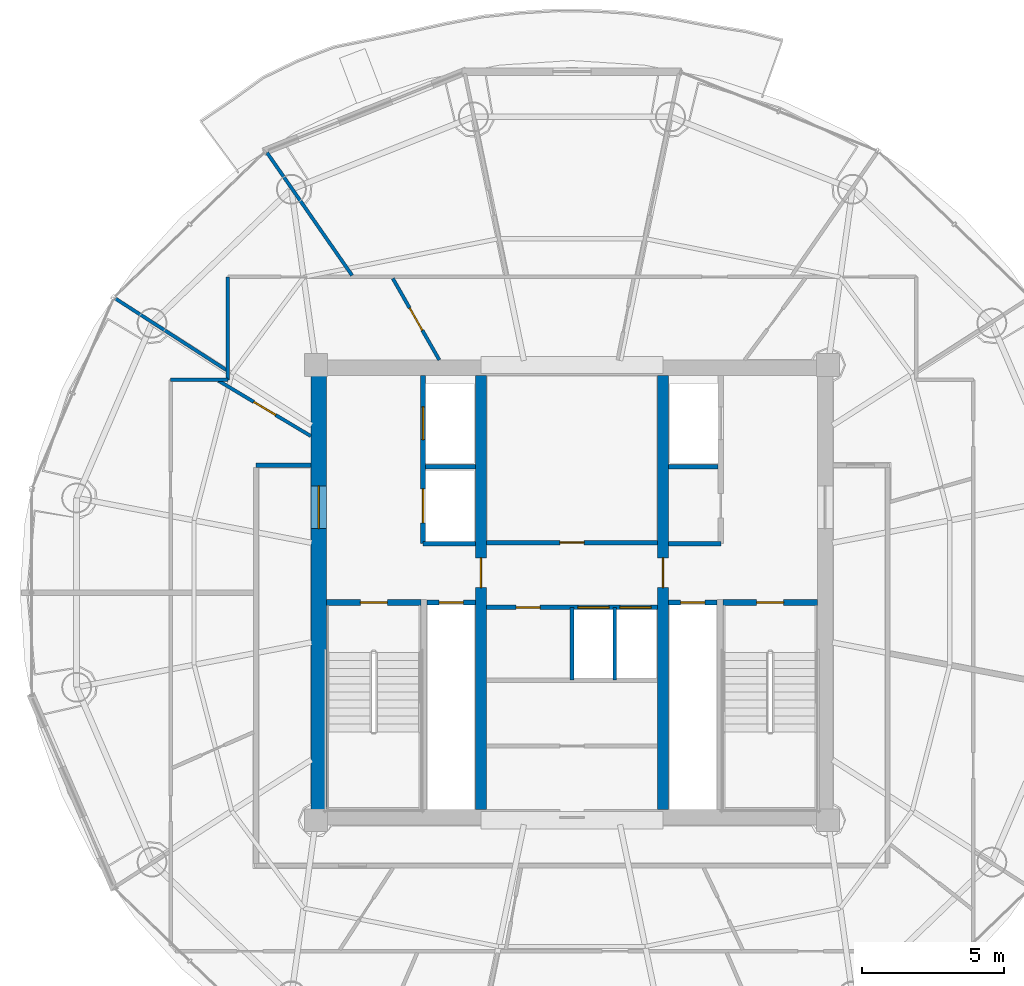
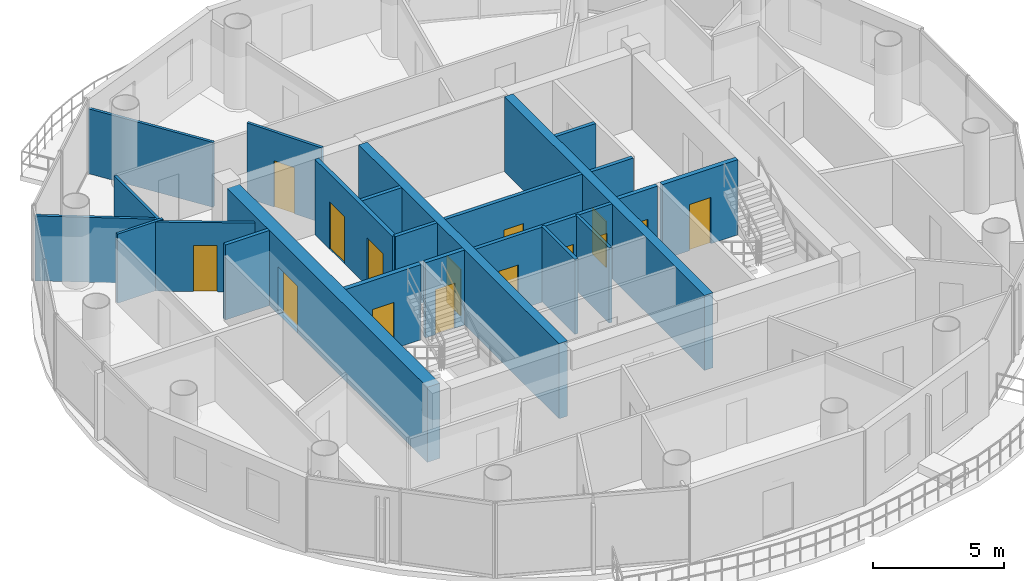
# One storey, part 18 of 24: 23 walls, 15 doors, 15 openings.
"""IFC4 building model written with IfcOpenShell, lengths in metres."""

from ifc_helpers import new_model, si_unit, direction, frame, frame_2d, origin, place, context, subcontext, project, spatial, rectangle, extrude, source, transform, mapped, material, layer, layer_set, type_object, element, fill, save


model = new_model("IFC4")

# Units and contexts
model_context = context("Model", 3, precision=1e-05, world=origin(), true_north=direction((-0.2419218956, 0.970295726276)))
body_context = subcontext(model_context, "Body", "Model", "MODEL_VIEW")
ifc_project = project(units=[si_unit("LENGTHUNIT", "METRE"), si_unit("AREAUNIT", "SQUARE_METRE"), si_unit("VOLUMEUNIT", "CUBIC_METRE"), si_unit("PLANEANGLEUNIT", "RADIAN"), si_unit("MASSUNIT", "GRAM", prefix="KILO")], contexts=[model_context])

# Site, building, storey
site_placement = place(None, origin())
site = spatial("IfcSite", under=ifc_project, at=site_placement, CompositionType="ELEMENT")
building_placement = place(site_placement, origin())
building = spatial("IfcBuilding", under=site, at=building_placement, Name="Cobrevalo Terracotta Tower", CompositionType="ELEMENT")
storey_placement = place(building_placement, frame((0.0, 0.0, 293.199951171875)))
storey = spatial("IfcBuildingStorey", under=building, at=storey_placement, Name="L77", CompositionType="ELEMENT", Elevation=293.199951171875)

# Wall, opening, door
ifc_material_1 = material(Name="Concrete C50", Category="concrete")
ifc_layer_1 = layer(ifc_material_1, 0.550048828125)
ifc_layer_set_1 = layer_set([ifc_layer_1], Name="Concrete C50")
wall_type_1 = type_object("IfcWallType", Name="Core shear wall 550 mm Concrete C50", PredefinedType="SHEAR", material=ifc_layer_set_1)
wall_1_placement = place(storey_placement, frame((29.10009765625, 19.175048828125, 0.0), z_axis=(0.0, 0.0, 1.0), x_axis=(0.0, 1.0, 0.0)))
wall_1 = element("IfcWall", 1, at=wall_1_placement, inside=storey, type_object=wall_type_1, Name="L77 west core shear wall", PredefinedType="SHEAR", context=body_context, shape_type="SweptSolid", body=[
    extrude(rectangle(XDim=15.25, YDim=0.550048828125, at=frame_2d((7.625, 0.0))), origin(), (0.0, 0.0, 1.0), 3.489990234375),
])
opening_1_placement = place(wall_1_placement, frame((9.875, 0.0, 0.0)))
opening_1 = element("IfcOpeningElement", 2, at=opening_1_placement, cuts=wall_1, Name="Opening ID-14", PredefinedType="OPENING", context=body_context, shape_type="SweptSolid", body=[
    extrude(rectangle(XDim=1.5, YDim=2.199951171875, at=frame_2d((0.75, 1.10009765625))), frame((0.0, 0.28515625, 0.0), z_axis=(0.0, -1.0, 0.0), x_axis=(1.0, 0.0, 0.0)), (0.0, 0.0, 1.0), 0.570068359375),
])
ifc_material_2 = material(Name="Galvanized fire-rated steel", Category="steel")
door_type_1 = type_object("IfcDoorType", Name="Core cross-lobby double fire door 1500x2200 EI 90", OperationType="NOTDEFINED", PredefinedType="DOOR", material=ifc_material_2)
shared_shape_1 = source(origin(), body_context, "Body", "SweptSolid", [
    extrude(rectangle(XDim=1.5, YDim=2.199951171875, at=frame_2d((0.75, 1.10009765625))), frame((0.0, 0.02490234375, 0.0), z_axis=(0.0, -1.0, 0.0), x_axis=(1.0, 0.0, 0.0)), (0.0, 0.0, 1.0), 0.050048828125),
])
door_1_placement = place(opening_1_placement, origin())
door_1 = element("IfcDoor", 3, at=door_1_placement, inside=storey, type_object=door_type_1, Name="L77 west firefighting lobby entrance door", OperationType="DOUBLE_DOOR_SINGLE_SWING", OverallHeight=2.199951171875, OverallWidth=1.5, PredefinedType="DOOR", context=body_context, shape_type="MappedRepresentation", body=[
    mapped(shared_shape_1, transform((0.0, 0.0, 0.0), scale=1.0)),
])
fill(opening_1, door_1)

# Walls
ifc_material_3 = material(Name="Gypsum board on steel stud", Category="steel")
ifc_layer_2 = layer(ifc_material_3, 0.159912109375)
ifc_layer_set_2 = layer_set([ifc_layer_2], Name="Gypsum board on steel stud")
wall_type_2 = type_object("IfcWallType", Name="Fire-rated corridor acoustic partition wall 160 mm", PredefinedType="PARTITIONING", material=ifc_layer_set_2)
wall_2_placement = place(storey_placement, frame((32.860107421875, 31.219970703125, 0.0), z_axis=(0.0, 0.0, 1.0), x_axis=(1.0, 0.0, 0.0)))
element("IfcWall", 4, at=wall_2_placement, inside=storey, type_object=wall_type_2, Name="L77 interior partition IW-L77-FF1-M", PredefinedType="PARTITIONING", context=body_context, shape_type="SweptSolid", body=[
    extrude(rectangle(XDim=1.75, YDim=0.159912109375, at=frame_2d((0.875, 0.0))), origin(), (0.0, 0.0, 1.0), 3.489990234375),
])
wall_3_placement = place(storey_placement, frame((32.77001953125, 28.52001953125, 0.0), z_axis=(0.0, 0.0, 1.0), x_axis=(1.0, 0.0, 0.0)))
element("IfcWall", 5, at=wall_3_placement, inside=storey, type_object=wall_type_2, Name="L77 interior partition IW-L77-FF1-S", PredefinedType="PARTITIONING", context=body_context, shape_type="SweptSolid", body=[
    extrude(rectangle(XDim=1.840087890625, YDim=0.159912109375, at=frame_2d((0.919921875, 0.0))), origin(), (0.0, 0.0, 1.0), 3.489990234375),
])
wall_4_placement = place(storey_placement, frame((41.389892578125, 31.219970703125, 0.0), z_axis=(0.0, 0.0, 1.0), x_axis=(1.0, 0.0, 0.0)))
element("IfcWall", 6, at=wall_4_placement, inside=storey, type_object=wall_type_2, Name="L77 interior partition IW-L77-FF2-M", PredefinedType="PARTITIONING", context=body_context, shape_type="SweptSolid", body=[
    extrude(rectangle(XDim=1.75, YDim=0.159912109375, at=frame_2d((0.875, 0.0))), origin(), (0.0, 0.0, 1.0), 3.489990234375),
])
wall_5_placement = place(storey_placement, frame((41.389892578125, 28.52001953125, 0.0), z_axis=(0.0, 0.0, 1.0), x_axis=(1.0, 0.0, 0.0)))
element("IfcWall", 7, at=wall_5_placement, inside=storey, type_object=wall_type_2, Name="L77 interior partition IW-L77-FF2-S", PredefinedType="PARTITIONING", context=body_context, shape_type="SweptSolid", body=[
    extrude(rectangle(XDim=1.840087890625, YDim=0.159912109375, at=frame_2d((0.919921875, 0.0))), origin(), (0.0, 0.0, 1.0), 3.489990234375),
])

# Wall, opening, door
wall_6_placement = place(storey_placement, frame((34.989990234375, 28.56005859375, 0.0), z_axis=(0.0, 0.0, 1.0), x_axis=(1.0, 0.0, 0.0)))
wall_6 = element("IfcWall", 8, at=wall_6_placement, inside=storey, type_object=wall_type_2, Name="L77 interior partition IW-L77-LB-S", PredefinedType="PARTITIONING", context=body_context, shape_type="SweptSolid", body=[
    extrude(rectangle(XDim=6.02001953125, YDim=0.159912109375, at=frame_2d((3.010009765625, 0.0))), origin(), (0.0, 0.0, 1.0), 3.489990234375),
])
opening_2_placement = place(wall_6_placement, frame((2.5849609375, 0.0, 0.0)))
opening_2 = element("IfcOpeningElement", 9, at=opening_2_placement, cuts=wall_6, Name="Opening ID-22", PredefinedType="OPENING", context=body_context, shape_type="SweptSolid", body=[
    extrude(rectangle(XDim=0.85009765625, YDim=2.10009765625, at=frame_2d((0.425048828125, 1.050048828125))), frame((0.0, 0.08984375, 0.0), z_axis=(0.0, -1.0, 0.0), x_axis=(1.0, 0.0, 0.0)), (0.0, 0.0, 1.0), 0.179931640625),
])
ifc_material_4 = material(Name="Powder-coated steel", Category="steel")
door_type_2 = type_object("IfcDoorType", Name="Riser shaft & meter closet fire access door 850x2100 EI 60", OperationType="NOTDEFINED", PredefinedType="DOOR", material=ifc_material_4)
shared_shape_2 = source(origin(), body_context, "Body", "SweptSolid", [
    extrude(rectangle(XDim=0.85009765625, YDim=2.10009765625, at=frame_2d((0.425048828125, 1.050048828125))), frame((0.0, 0.02490234375, 0.0), z_axis=(0.0, -1.0, 0.0), x_axis=(1.0, 0.0, 0.0)), (0.0, 0.0, 1.0), 0.050048828125),
])
door_2_placement = place(opening_2_placement, origin())
door_2 = element("IfcDoor", 10, at=door_2_placement, inside=storey, type_object=door_type_2, Name="L77 core service door Floor Electrical Switchroom", OperationType="SINGLE_SWING_LEFT", OverallHeight=2.10009765625, OverallWidth=0.85009765625, PredefinedType="DOOR", context=body_context, shape_type="MappedRepresentation", body=[
    mapped(shared_shape_2, transform((0.0, 0.0, 0.0), scale=1.0)),
])
fill(opening_2, door_2)

# Wall, openings, doors
wall_7_placement = place(storey_placement, frame((34.989990234375, 26.280029296875, 0.0), z_axis=(0.0, 0.0, 1.0), x_axis=(1.0, 0.0, 0.0)))
wall_7 = element("IfcWall", 11, at=wall_7_placement, inside=storey, type_object=wall_type_2, Name="L77 interior partition IW-L77-MB-N", PredefinedType="PARTITIONING", context=body_context, shape_type="SweptSolid", body=[
    extrude(rectangle(XDim=6.02001953125, YDim=0.159912109375, at=frame_2d((3.010009765625, 0.0))), origin(), (0.0, 0.0, 1.0), 3.489990234375),
])
opening_3_placement = place(wall_7_placement, frame((1.044921875, 0.0, 0.0)))
opening_3 = element("IfcOpeningElement", 12, at=opening_3_placement, cuts=wall_7, Name="Opening ID-22", PredefinedType="OPENING", context=body_context, shape_type="SweptSolid", body=[
    extrude(rectangle(XDim=0.85009765625, YDim=2.10009765625, at=frame_2d((0.425048828125, 1.050048828125))), frame((0.0, 0.08984375, 0.0), z_axis=(0.0, -1.0, 0.0), x_axis=(1.0, 0.0, 0.0)), (0.0, 0.0, 1.0), 0.179931640625),
])
opening_4_placement = place(wall_7_placement, frame((3.215087890625, 0.0, 0.0)))
opening_4 = element("IfcOpeningElement", 13, at=opening_4_placement, cuts=wall_7, Name="Opening LD-01", PredefinedType="OPENING", context=body_context, shape_type="SweptSolid", body=[
    extrude(rectangle(XDim=1.10009765625, YDim=2.199951171875, at=frame_2d((0.550048828125, 1.10009765625))), frame((0.0, 0.08984375, 0.0), z_axis=(0.0, -1.0, 0.0), x_axis=(1.0, 0.0, 0.0)), (0.0, 0.0, 1.0), 0.179931640625),
])
opening_5_placement = place(wall_7_placement, frame((4.695068359375, 0.0, 0.0)))
opening_5 = element("IfcOpeningElement", 14, at=opening_5_placement, cuts=wall_7, Name="Opening LD-01", PredefinedType="OPENING", context=body_context, shape_type="SweptSolid", body=[
    extrude(rectangle(XDim=1.10009765625, YDim=2.199951171875, at=frame_2d((0.550048828125, 1.10009765625))), frame((0.0, 0.08984375, 0.0), z_axis=(0.0, -1.0, 0.0), x_axis=(1.0, 0.0, 0.0)), (0.0, 0.0, 1.0), 0.179931640625),
])
door_3_placement = place(opening_3_placement, frame((0.85009765625, 0.0, 0.0), z_axis=(0.0, 0.0, 1.0), x_axis=(-1.0, 0.0, 0.0)))
door_3 = element("IfcDoor", 15, at=door_3_placement, inside=storey, type_object=door_type_2, Name="L77 core room door High-Rise Core Linen and Equipment Store", OperationType="SINGLE_SWING_RIGHT", OverallHeight=2.10009765625, OverallWidth=0.85009765625, PredefinedType="DOOR", context=body_context, shape_type="MappedRepresentation", body=[
    mapped(shared_shape_2, transform((0.0, 0.0, 0.0), scale=1.0)),
])
fill(opening_3, door_3)
ifc_material_5 = material(Name="Brushed stainless steel", Category="steel")
door_type_3 = type_object("IfcDoorType", Name="Passenger lift landing bi-parting sliding door 1100x2200 EI 90", OperationType="DOUBLE_DOOR_SLIDING", PredefinedType="DOOR", material=ifc_material_5)
shared_shape_3 = source(origin(), body_context, "Body", "SweptSolid", [
    extrude(rectangle(XDim=1.10009765625, YDim=2.199951171875, at=frame_2d((0.550048828125, 1.10009765625))), frame((0.0, 0.02490234375, 0.0), z_axis=(0.0, -1.0, 0.0), x_axis=(1.0, 0.0, 0.0)), (0.0, 0.0, 1.0), 0.050048828125),
])
door_4_placement = place(opening_4_placement, origin())
door_4 = element("IfcDoor", 16, at=door_4_placement, inside=storey, type_object=door_type_3, Name="L77 lift landing door PL-H1", OperationType="DOUBLE_DOOR_SLIDING", OverallHeight=2.199951171875, OverallWidth=1.10009765625, PredefinedType="DOOR", context=body_context, shape_type="MappedRepresentation", body=[
    mapped(shared_shape_3, transform((0.0, 0.0, 0.0), scale=1.0)),
])
fill(opening_4, door_4)
door_5_placement = place(opening_5_placement, origin())
door_5 = element("IfcDoor", 17, at=door_5_placement, inside=storey, type_object=door_type_3, Name="L77 lift landing door PL-H2", OperationType="DOUBLE_DOOR_SLIDING", OverallHeight=2.199951171875, OverallWidth=1.10009765625, PredefinedType="DOOR", context=body_context, shape_type="MappedRepresentation", body=[
    mapped(shared_shape_3, transform((0.0, 0.0, 0.0), scale=1.0)),
])
fill(opening_5, door_5)

# Wall
wall_8_placement = place(storey_placement, frame((26.89501953125, 31.280029296875, 0.0), z_axis=(0.0, 0.0, 1.0), x_axis=(1.0, 0.0, 0.0)))
element("IfcWall", 18, at=wall_8_placement, inside=storey, type_object=wall_type_2, Name="L77 interior partition IW-L77-COR-WN-CAP", PredefinedType="PARTITIONING", context=body_context, shape_type="SweptSolid", body=[
    extrude(rectangle(XDim=1.929931640625, YDim=0.159912109375, at=frame_2d((0.96484375, 0.0))), origin(), (0.0, 0.0, 1.0), 3.489990234375),
])

# Wall, opening, door
ifc_layer_3 = layer(ifc_material_3, 0.179931640625)
ifc_layer_set_3 = layer_set([ifc_layer_3], Name="Gypsum board on steel stud")
wall_type_3 = type_object("IfcWallType", Name="Fire-rated shaft & lobby acoustic partition wall 180 mm", PredefinedType="PARTITIONING", material=ifc_layer_set_3)
wall_9_placement = place(storey_placement, frame((32.89990234375, 26.449951171875, 0.0), z_axis=(0.0, 0.0, 1.0), x_axis=(1.0, 0.0, 0.0)))
wall_9 = element("IfcWall", 19, at=wall_9_placement, inside=storey, type_object=wall_type_3, Name="L77 interior partition IW-L77-RSW-N", PredefinedType="PARTITIONING", context=body_context, shape_type="SweptSolid", body=[
    extrude(rectangle(XDim=1.710205078125, YDim=0.179931640625, at=frame_2d((0.85498046875, 0.0))), origin(), (0.0, 0.0, 1.0), 3.489990234375),
])
opening_6_placement = place(wall_9_placement, frame((0.429931640625, 0.0, 0.0)))
opening_6 = element("IfcOpeningElement", 20, at=opening_6_placement, cuts=wall_9, Name="Opening ID-22", PredefinedType="OPENING", context=body_context, shape_type="SweptSolid", body=[
    extrude(rectangle(XDim=0.85009765625, YDim=2.10009765625, at=frame_2d((0.425048828125, 1.050048828125))), frame((0.0, 0.10009765625, 0.0), z_axis=(0.0, -1.0, 0.0), x_axis=(1.0, 0.0, 0.0)), (0.0, 0.0, 1.0), 0.199951171875),
])
door_6_placement = place(opening_6_placement, origin())
door_6 = element("IfcDoor", 21, at=door_6_placement, inside=storey, type_object=door_type_2, Name="L77 riser access door RSW", OperationType="SINGLE_SWING_LEFT", OverallHeight=2.10009765625, OverallWidth=0.85009765625, PredefinedType="DOOR", context=body_context, shape_type="MappedRepresentation", body=[
    mapped(shared_shape_2, transform((0.0, 0.0, 0.0), scale=1.0)),
])
fill(opening_6, door_6)

wall_10_placement = place(storey_placement, frame((41.389892578125, 26.449951171875, 0.0), z_axis=(0.0, 0.0, 1.0), x_axis=(1.0, 0.0, 0.0)))
wall_10 = element("IfcWall", 22, at=wall_10_placement, inside=storey, type_object=wall_type_3, Name="L77 interior partition IW-L77-RSE-N", PredefinedType="PARTITIONING", context=body_context, shape_type="SweptSolid", body=[
    extrude(rectangle(XDim=1.710205078125, YDim=0.179931640625, at=frame_2d((0.85498046875, 0.0))), origin(), (0.0, 0.0, 1.0), 3.489990234375),
])
opening_7_placement = place(wall_10_placement, frame((0.429931640625, 0.0, 0.0)))
opening_7 = element("IfcOpeningElement", 23, at=opening_7_placement, cuts=wall_10, Name="Opening ID-22", PredefinedType="OPENING", context=body_context, shape_type="SweptSolid", body=[
    extrude(rectangle(XDim=0.85009765625, YDim=2.10009765625, at=frame_2d((0.425048828125, 1.050048828125))), frame((0.0, 0.10009765625, 0.0), z_axis=(0.0, -1.0, 0.0), x_axis=(1.0, 0.0, 0.0)), (0.0, 0.0, 1.0), 0.199951171875),
])
door_7_placement = place(opening_7_placement, origin())
door_7 = element("IfcDoor", 24, at=door_7_placement, inside=storey, type_object=door_type_2, Name="L77 riser access door RSE", OperationType="SINGLE_SWING_RIGHT", OverallHeight=2.10009765625, OverallWidth=0.85009765625, PredefinedType="DOOR", context=body_context, shape_type="MappedRepresentation", body=[
    mapped(shared_shape_2, transform((0.0, 0.0, 0.0), scale=1.0)),
])
fill(opening_7, door_7)

# Wall, openings, doors
wall_11_placement = place(storey_placement, frame((32.77001953125, 28.52001953125, 0.0), z_axis=(0.0, 0.0, 1.0), x_axis=(0.0, 1.0, 0.0)))
wall_11 = element("IfcWall", 25, at=wall_11_placement, inside=storey, type_object=wall_type_3, Name="L77 interior partition IW-L77-FF1-W", PredefinedType="PARTITIONING", context=body_context, shape_type="SweptSolid", body=[
    extrude(rectangle(XDim=5.905029296875, YDim=0.179931640625, at=frame_2d((2.95263671875, 0.0))), origin(), (0.0, 0.0, 1.0), 3.489990234375),
])
opening_8_placement = place(wall_11_placement, frame((3.655029296875, 0.0, 0.0)))
opening_8 = element("IfcOpeningElement", 26, at=opening_8_placement, cuts=wall_11, Name="Opening LD-02", PredefinedType="OPENING", context=body_context, shape_type="SweptSolid", body=[
    extrude(rectangle(XDim=1.14990234375, YDim=2.199951171875, at=frame_2d((0.574951171875, 1.10009765625))), frame((0.0, 0.10009765625, 0.0), z_axis=(0.0, -1.0, 0.0), x_axis=(1.0, 0.0, 0.0)), (0.0, 0.0, 1.0), 0.199951171875),
])
opening_9_placement = place(wall_11_placement, frame((0.72998046875, 0.0, 0.0)))
opening_9 = element("IfcOpeningElement", 27, at=opening_9_placement, cuts=wall_11, Name="Opening LD-03", PredefinedType="OPENING", context=body_context, shape_type="SweptSolid", body=[
    extrude(rectangle(XDim=1.199951171875, YDim=2.25, at=frame_2d((0.60009765625, 1.125))), frame((0.0, 0.10009765625, 0.0), z_axis=(0.0, -1.0, 0.0), x_axis=(1.0, 0.0, 0.0)), (0.0, 0.0, 1.0), 0.199951171875),
])
door_type_4 = type_object("IfcDoorType", Name="Firefighting lift landing bi-parting sliding door 1150x2200 EI 120", OperationType="DOUBLE_DOOR_SLIDING", PredefinedType="DOOR", material=ifc_material_5)
shared_shape_4 = source(origin(), body_context, "Body", "SweptSolid", [
    extrude(rectangle(XDim=1.14990234375, YDim=2.199951171875, at=frame_2d((0.574951171875, 1.10009765625))), frame((0.0, 0.02490234375, 0.0), z_axis=(0.0, -1.0, 0.0), x_axis=(1.0, 0.0, 0.0)), (0.0, 0.0, 1.0), 0.050048828125),
])
door_8_placement = place(opening_8_placement, origin())
door_8 = element("IfcDoor", 28, at=door_8_placement, inside=storey, type_object=door_type_4, Name="L77 lift landing door FF-1", OperationType="DOUBLE_DOOR_SLIDING", OverallHeight=2.199951171875, OverallWidth=1.14990234375, PredefinedType="DOOR", context=body_context, shape_type="MappedRepresentation", body=[
    mapped(shared_shape_4, transform((0.0, 0.0, 0.0), scale=1.0)),
])
fill(opening_8, door_8)
door_type_5 = type_object("IfcDoorType", Name="Service lift landing bi-parting sliding door 1200x2250 EI 120", OperationType="DOUBLE_DOOR_SLIDING", PredefinedType="DOOR", material=ifc_material_5)
shared_shape_5 = source(origin(), body_context, "Body", "SweptSolid", [
    extrude(rectangle(XDim=1.199951171875, YDim=2.25, at=frame_2d((0.60009765625, 1.125))), frame((0.0, 0.02490234375, 0.0), z_axis=(0.0, -1.0, 0.0), x_axis=(1.0, 0.0, 0.0)), (0.0, 0.0, 1.0), 0.050048828125),
])
door_9_placement = place(opening_9_placement, origin())
door_9 = element("IfcDoor", 29, at=door_9_placement, inside=storey, type_object=door_type_5, Name="L77 lift landing door SV-1", OperationType="DOUBLE_DOOR_SLIDING", OverallHeight=2.25, OverallWidth=1.199951171875, PredefinedType="DOOR", context=body_context, shape_type="MappedRepresentation", body=[
    mapped(shared_shape_5, transform((0.0, 0.0, 0.0), scale=1.0)),
])
fill(opening_9, door_9)

# Wall
ifc_material_6 = material(Name="Autoclaved aerated concrete block", Category="concrete")
ifc_layer_4 = layer(ifc_material_6, 0.1201171875)
ifc_layer_set_4 = layer_set([ifc_layer_4], Name="Autoclaved aerated concrete block")
wall_type_4 = type_object("IfcWallType", Name="Fire-rated wet-room & core service partition 120 mm", PredefinedType="PARTITIONING", material=ifc_layer_set_4)
wall_12_placement = place(storey_placement, frame((39.5, 23.719970703125, 0.0), z_axis=(0.0, 0.0, 1.0), x_axis=(0.0, 1.0, 0.0)))
element("IfcWall", 30, at=wall_12_placement, inside=storey, type_object=wall_type_4, Name="L77 interior partition IW-L77-MB-D3", PredefinedType="PARTITIONING", context=body_context, shape_type="SweptSolid", body=[
    extrude(rectangle(XDim=2.56005859375, YDim=0.1201171875, at=frame_2d((1.280029296875, 0.0))), origin(), (0.0, 0.0, 1.0), 3.489990234375),
])

# Wall, opening, door
ifc_layer_5 = layer(ifc_material_1, 0.3798828125)
ifc_layer_set_5 = layer_set([ifc_layer_5], Name="Concrete C50")
wall_type_5 = type_object("IfcWallType", Name="Internal core shear web wall 380 mm Concrete C50", PredefinedType="SHEAR", material=ifc_layer_set_5)
wall_13_placement = place(storey_placement, frame((34.800048828125, 19.175048828125, 0.0), z_axis=(0.0, 0.0, 1.0), x_axis=(0.0, 1.0, 0.0)))
wall_13 = element("IfcWall", 31, at=wall_13_placement, inside=storey, type_object=wall_type_5, Name="L77 internal core shear wall WEB-W", PredefinedType="SHEAR", context=body_context, shape_type="SweptSolid", body=[
    extrude(rectangle(XDim=15.25, YDim=0.3798828125, at=frame_2d((7.625, 0.0))), origin(), (0.0, 0.0, 1.0), 3.489990234375),
])
opening_10_placement = place(wall_13_placement, frame((7.800048828125, 0.0, 0.0)))
opening_10 = element("IfcOpeningElement", 32, at=opening_10_placement, cuts=wall_13, Name="Opening ID-11", PredefinedType="OPENING", context=body_context, shape_type="SweptSolid", body=[
    extrude(rectangle(XDim=1.050048828125, YDim=2.14990234375, at=frame_2d((0.52490234375, 1.074951171875))), frame((0.0, 0.199951171875, 0.0), z_axis=(0.0, -1.0, 0.0), x_axis=(1.0, 0.0, 0.0)), (0.0, 0.0, 1.0), 0.39990234375),
])
door_type_6 = type_object("IfcDoorType", Name="Core concourse cross fire door 1050x2150 EI 90", OperationType="NOTDEFINED", PredefinedType="DOOR", material=ifc_material_2)
shared_shape_6 = source(origin(), body_context, "Body", "SweptSolid", [
    extrude(rectangle(XDim=1.050048828125, YDim=2.14990234375, at=frame_2d((0.52490234375, 1.074951171875))), frame((0.0, 0.02490234375, 0.0), z_axis=(0.0, -1.0, 0.0), x_axis=(1.0, 0.0, 0.0)), (0.0, 0.0, 1.0), 0.050048828125),
])
door_10_placement = place(opening_10_placement, origin())
door_10 = element("IfcDoor", 33, at=door_10_placement, inside=storey, type_object=door_type_6, Name="L77 west core concourse cross door", OperationType="SINGLE_SWING_LEFT", OverallHeight=2.14990234375, OverallWidth=1.050048828125, PredefinedType="DOOR", context=body_context, shape_type="MappedRepresentation", body=[
    mapped(shared_shape_6, transform((0.0, 0.0, 0.0), scale=1.0)),
])
fill(opening_10, door_10)

wall_14_placement = place(storey_placement, frame((41.199951171875, 19.175048828125, 0.0), z_axis=(0.0, 0.0, 1.0), x_axis=(0.0, 1.0, 0.0)))
wall_14 = element("IfcWall", 34, at=wall_14_placement, inside=storey, type_object=wall_type_5, Name="L77 internal core shear wall WEB-E", PredefinedType="SHEAR", context=body_context, shape_type="SweptSolid", body=[
    extrude(rectangle(XDim=15.25, YDim=0.3798828125, at=frame_2d((7.625, 0.0))), origin(), (0.0, 0.0, 1.0), 3.489990234375),
])
opening_11_placement = place(wall_14_placement, frame((7.800048828125, 0.0, 0.0)))
opening_11 = element("IfcOpeningElement", 35, at=opening_11_placement, cuts=wall_14, Name="Opening ID-11", PredefinedType="OPENING", context=body_context, shape_type="SweptSolid", body=[
    extrude(rectangle(XDim=1.050048828125, YDim=2.14990234375, at=frame_2d((0.52490234375, 1.074951171875))), frame((0.0, 0.199951171875, 0.0), z_axis=(0.0, -1.0, 0.0), x_axis=(1.0, 0.0, 0.0)), (0.0, 0.0, 1.0), 0.39990234375),
])
door_11_placement = place(opening_11_placement, frame((1.050048828125, 0.0, 0.0), z_axis=(0.0, 0.0, 1.0), x_axis=(-1.0, 0.0, 0.0)))
door_11 = element("IfcDoor", 36, at=door_11_placement, inside=storey, type_object=door_type_6, Name="L77 east core concourse cross door", OperationType="SINGLE_SWING_RIGHT", OverallHeight=2.14990234375, OverallWidth=1.050048828125, PredefinedType="DOOR", context=body_context, shape_type="MappedRepresentation", body=[
    mapped(shared_shape_6, transform((0.0, 0.0, 0.0), scale=1.0)),
])
fill(opening_11, door_11)

# Walls
ifc_layer_6 = layer(ifc_material_6, 0.139892578125)
ifc_layer_set_6 = layer_set([ifc_layer_6], Name="Autoclaved aerated concrete block")
wall_type_6 = type_object("IfcWallType", Name="Moisture-resistant wet-room & core service partition 140 mm", PredefinedType="PARTITIONING", material=ifc_layer_set_6)
wall_15_placement = place(storey_placement, frame((38.0, 23.719970703125, 0.0), z_axis=(0.0, 0.0, 1.0), x_axis=(0.0, 1.0, 0.0)))
element("IfcWall", 37, at=wall_15_placement, inside=storey, type_object=wall_type_6, Name="L77 interior partition IW-L77-MB-D2", PredefinedType="PARTITIONING", context=body_context, shape_type="SweptSolid", body=[
    extrude(rectangle(XDim=2.56005859375, YDim=0.139892578125, at=frame_2d((1.280029296875, 0.0))), origin(), (0.0, 0.0, 1.0), 3.489990234375),
])
ifc_layer_7 = layer(ifc_material_3, 0.1201171875)
ifc_layer_set_7 = layer_set([ifc_layer_7], Name="Gypsum board on steel stud")
wall_type_7 = type_object("IfcWallType", Name="Residential internal acoustic stud partition 120 mm", PredefinedType="PARTITIONING", material=ifc_layer_set_7)
wall_16_placement = place(storey_placement, frame((23.89501953125, 34.280029296875, 0.0), z_axis=(0.0, 0.0, 1.0), x_axis=(1.0, 0.0, 0.0)))
element("IfcWall", 38, at=wall_16_placement, inside=storey, type_object=wall_type_7, Name="L77 interior partition IW-L77-U1-RING1_0", PredefinedType="PARTITIONING", context=body_context, shape_type="SweptSolid", body=[
    extrude(rectangle(XDim=2.010009765625, YDim=0.1201171875, at=frame_2d((1.0048828125, 0.0))), origin(), (0.0, 0.0, 1.0), 3.208984375),
])
wall_17_placement = place(storey_placement, frame((25.905029296875, 34.280029296875, 0.0), z_axis=(0.0, 0.0, 1.0), x_axis=(0.0, 1.0, 0.0)))
element("IfcWall", 39, at=wall_17_placement, inside=storey, type_object=wall_type_7, Name="L77 interior partition IW-L77-U1-RING2_0", PredefinedType="PARTITIONING", context=body_context, shape_type="SweptSolid", body=[
    extrude(rectangle(XDim=3.614990234375, YDim=0.1201171875, at=frame_2d((1.8076171875, 0.0))), origin(), (0.0, 0.0, 1.0), 3.01513671875),
])
wall_18_placement = place(storey_placement, frame((30.273681640625, 37.946044921875, 0.0), z_axis=(0.0, 0.0, 1.0), x_axis=(-0.569678410446, 0.821867695357, 0.0)))
element("IfcWall", 40, at=wall_18_placement, inside=storey, type_object=wall_type_7, Name="L77 interior partition IW-L77-U1-ORAD4", PredefinedType="PARTITIONING", context=body_context, shape_type="SweptSolid", body=[
    extrude(rectangle(XDim=5.256591796875, YDim=0.1201171875, at=frame_2d((2.62841796875, 0.0))), origin(), (0.0, 0.0, 1.0), 3.01513671875),
])
wall_19_placement = place(storey_placement, frame((25.852783203125, 34.62353515625, 0.0), z_axis=(0.0, 0.0, 1.0), x_axis=(-0.840694066929, 0.541510374628, 0.0)))
element("IfcWall", 41, at=wall_19_placement, inside=storey, type_object=wall_type_7, Name="L77 interior partition IW-L77-U1-ORAD5", PredefinedType="PARTITIONING", context=body_context, shape_type="SweptSolid", body=[
    extrude(rectangle(XDim=4.637451171875, YDim=0.1201171875, at=frame_2d((2.31884765625, 0.0))), origin(), (0.0, 0.0, 1.0), 3.01513671875),
])

# Wall, opening, door
wall_20_placement = place(storey_placement, frame((33.33642578125, 34.976806640625, 0.0), z_axis=(0.0, 0.0, 1.0), x_axis=(-0.495413156231, 0.86865747256, 0.0)))
wall_20 = element("IfcWall", 42, at=wall_20_placement, inside=storey, type_object=wall_type_7, Name="L77 interior partition IW-L77-U1-IRAD4", PredefinedType="PARTITIONING", context=body_context, shape_type="SweptSolid", body=[
    extrude(rectangle(XDim=3.29736328125, YDim=0.1201171875, at=frame_2d((1.648681640625, 0.0))), origin(), (0.0, 0.0, 1.0), 3.489990234375),
])
opening_12_placement = place(wall_20_placement, frame((1.19873046875, 0.0, 0.0)))
opening_12 = element("IfcOpeningElement", 43, at=opening_12_placement, cuts=wall_20, Name="Opening ID-12", PredefinedType="OPENING", context=body_context, shape_type="SweptSolid", body=[
    extrude(rectangle(XDim=0.89990234375, YDim=2.14990234375, at=frame_2d((0.449951171875, 1.074951171875))), frame((0.0, 0.070068359375, 0.0), z_axis=(0.0, -1.0, 0.0), x_axis=(1.0, 0.0, 0.0)), (0.0, 0.0, 1.0), 0.14013671875),
])
ifc_material_7 = material(Name="Engineered timber", Category="wood")
door_type_7 = type_object("IfcDoorType", Name="Internal residence & suite timber door 900x2150", OperationType="NOTDEFINED", PredefinedType="DOOR", material=ifc_material_7)
shared_shape_7 = source(origin(), body_context, "Body", "SweptSolid", [
    extrude(rectangle(XDim=0.89990234375, YDim=2.14990234375, at=frame_2d((0.449951171875, 1.074951171875))), frame((0.0, 0.02490234375, 0.0), z_axis=(0.0, -1.0, 0.0), x_axis=(1.0, 0.0, 0.0)), (0.0, 0.0, 1.0), 0.050048828125),
])
door_12_placement = place(opening_12_placement, origin())
door_12 = element("IfcDoor", 44, at=door_12_placement, inside=storey, type_object=door_type_7, Name="Flat L77A Private Library Meeting Room internal door", OperationType="SINGLE_SWING_LEFT", OverallHeight=2.14990234375, OverallWidth=0.89990234375, PredefinedType="DOOR", context=body_context, shape_type="MappedRepresentation", body=[
    mapped(shared_shape_7, transform((0.0, 0.0, 0.0), scale=1.0)),
])
fill(opening_12, door_12)

wall_21_placement = place(storey_placement, frame((28.824951171875, 32.299560546875, 0.0), z_axis=(0.0, 0.0, 1.0), x_axis=(-0.857737223377, 0.514088373369, 0.0)))
wall_21 = element("IfcWall", 45, at=wall_21_placement, inside=storey, type_object=wall_type_7, Name="L77 interior partition IW-L77-U1-IRAD5", PredefinedType="PARTITIONING", context=body_context, shape_type="SweptSolid", body=[
    extrude(rectangle(XDim=3.790283203125, YDim=0.1201171875, at=frame_2d((1.89501953125, 0.0))), origin(), (0.0, 0.0, 1.0), 3.208984375),
])
opening_13_placement = place(wall_21_placement, frame((1.445068359375, 0.0, 0.0)))
opening_13 = element("IfcOpeningElement", 46, at=opening_13_placement, cuts=wall_21, Name="Opening ID-12", PredefinedType="OPENING", context=body_context, shape_type="SweptSolid", body=[
    extrude(rectangle(XDim=0.89990234375, YDim=2.14990234375, at=frame_2d((0.449951171875, 1.074951171875))), frame((0.0, 0.070068359375, 0.0), z_axis=(0.0, -1.0, 0.0), x_axis=(1.0, 0.0, 0.0)), (0.0, 0.0, 1.0), 0.14013671875),
])
door_13_placement = place(opening_13_placement, origin())
door_13 = element("IfcDoor", 47, at=door_13_placement, inside=storey, type_object=door_type_7, Name="Flat L77A Private Cinema Lounge internal door", OperationType="SINGLE_SWING_RIGHT", OverallHeight=2.14990234375, OverallWidth=0.89990234375, PredefinedType="DOOR", context=body_context, shape_type="MappedRepresentation", body=[
    mapped(shared_shape_7, transform((0.0, 0.0, 0.0), scale=1.0)),
])
fill(opening_13, door_13)

ifc_layer_8 = layer(ifc_material_1, 0.199951171875)
ifc_layer_set_8 = layer_set([ifc_layer_8], Name="Concrete C50")
wall_type_8 = type_object("IfcWallType", Name="Structural core & podium stair-shaft RC wall 200 mm Concrete C50", PredefinedType="SOLIDWALL", material=ifc_layer_set_8)
wall_22_placement = place(storey_placement, frame((29.375, 26.449951171875, 0.0), z_axis=(0.0, 0.0, 1.0), x_axis=(1.0, 0.0, 0.0)))
wall_22 = element("IfcWall", 48, at=wall_22_placement, inside=storey, type_object=wall_type_8, Name="L77 ST-1 north structural shaft wall", PredefinedType="SOLIDWALL", context=body_context, shape_type="SweptSolid", body=[
    extrude(rectangle(XDim=3.320068359375, YDim=0.199951171875, at=frame_2d((1.66015625, 0.0))), origin(), (0.0, 0.0, 1.0), 3.489990234375),
])
opening_14_placement = place(wall_22_placement, frame((1.18505859375, 0.0, 0.0)))
opening_14 = element("IfcOpeningElement", 49, at=opening_14_placement, cuts=wall_22, Name="Opening ID-04", PredefinedType="OPENING", context=body_context, shape_type="SweptSolid", body=[
    extrude(rectangle(XDim=0.949951171875, YDim=2.14990234375, at=frame_2d((0.47509765625, 1.074951171875))), frame((0.0, 0.10986328125, 0.0), z_axis=(0.0, -1.0, 0.0), x_axis=(1.0, 0.0, 0.0)), (0.0, 0.0, 1.0), 0.219970703125),
])
door_type_8 = type_object("IfcDoorType", Name="Stair & firefighting lobby fire door 950x2150 EI 90", OperationType="NOTDEFINED", PredefinedType="DOOR", material=ifc_material_2)
shared_shape_8 = source(origin(), body_context, "Body", "SweptSolid", [
    extrude(rectangle(XDim=0.949951171875, YDim=2.14990234375, at=frame_2d((0.47509765625, 1.074951171875))), frame((0.0, 0.02490234375, 0.0), z_axis=(0.0, -1.0, 0.0), x_axis=(1.0, 0.0, 0.0)), (0.0, 0.0, 1.0), 0.050048828125),
])
door_14_placement = place(opening_14_placement, origin())
door_14 = element("IfcDoor", 50, at=door_14_placement, inside=storey, type_object=door_type_8, Name="L77 protected stair ST1 fire door", OperationType="SINGLE_SWING_LEFT", OverallHeight=2.14990234375, OverallWidth=0.949951171875, PredefinedType="DOOR", context=body_context, shape_type="MappedRepresentation", body=[
    mapped(shared_shape_8, transform((0.0, 0.0, 0.0), scale=1.0)),
])
fill(opening_14, door_14)

wall_23_placement = place(storey_placement, frame((43.304931640625, 26.449951171875, 0.0), z_axis=(0.0, 0.0, 1.0), x_axis=(1.0, 0.0, 0.0)))
wall_23 = element("IfcWall", 51, at=wall_23_placement, inside=storey, type_object=wall_type_8, Name="L77 ST-2 north structural shaft wall", PredefinedType="SOLIDWALL", context=body_context, shape_type="SweptSolid", body=[
    extrude(rectangle(XDim=3.320068359375, YDim=0.199951171875, at=frame_2d((1.66015625, 0.0))), origin(), (0.0, 0.0, 1.0), 3.489990234375),
])
opening_15_placement = place(wall_23_placement, frame((1.18505859375, 0.0, 0.0)))
opening_15 = element("IfcOpeningElement", 52, at=opening_15_placement, cuts=wall_23, Name="Opening ID-04", PredefinedType="OPENING", context=body_context, shape_type="SweptSolid", body=[
    extrude(rectangle(XDim=0.949951171875, YDim=2.14990234375, at=frame_2d((0.47509765625, 1.074951171875))), frame((0.0, 0.10986328125, 0.0), z_axis=(0.0, -1.0, 0.0), x_axis=(1.0, 0.0, 0.0)), (0.0, 0.0, 1.0), 0.219970703125),
])
door_15_placement = place(opening_15_placement, frame((0.949951171875, 0.0, 0.0), z_axis=(0.0, 0.0, 1.0), x_axis=(-1.0, 0.0, 0.0)))
door_15 = element("IfcDoor", 53, at=door_15_placement, inside=storey, type_object=door_type_8, Name="L77 protected stair ST2 fire door", OperationType="SINGLE_SWING_RIGHT", OverallHeight=2.14990234375, OverallWidth=0.949951171875, PredefinedType="DOOR", context=body_context, shape_type="MappedRepresentation", body=[
    mapped(shared_shape_8, transform((0.0, 0.0, 0.0), scale=1.0)),
])
fill(opening_15, door_15)

save(model, "model.ifc")
